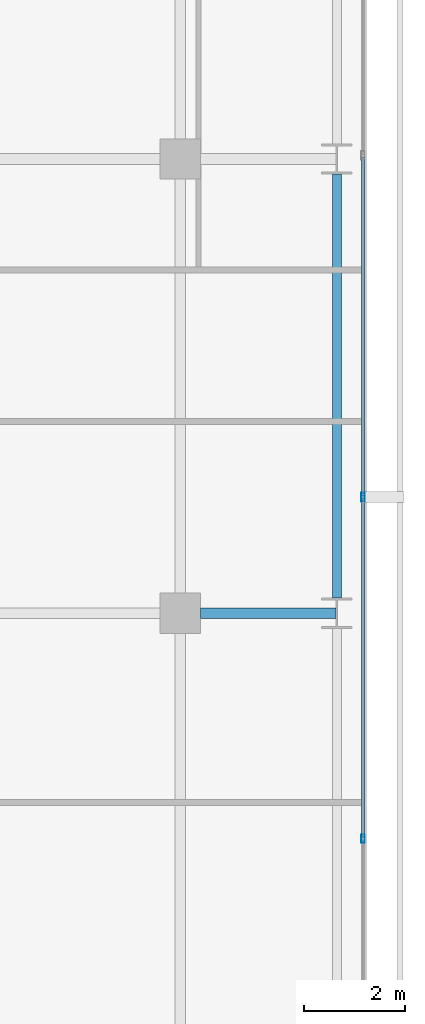
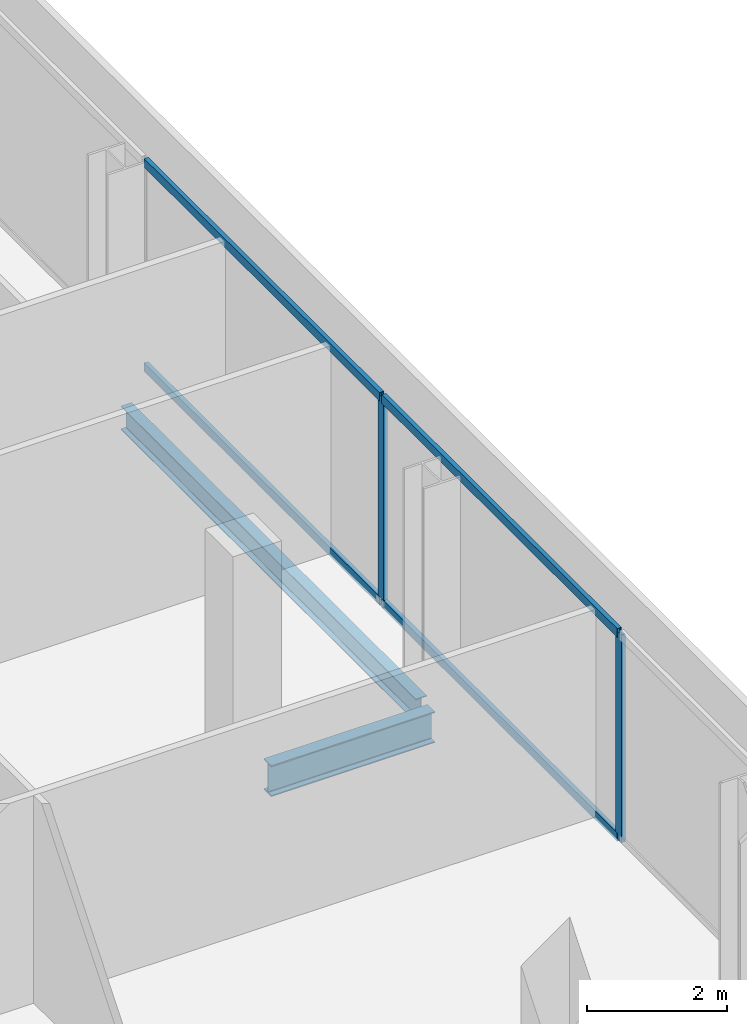
# One storey, part 17 of 33: 6 members, 2 beams, 1 element without a shape of its own.
"""IFC4 building model written with IfcOpenShell, lengths in metres."""

from ifc_helpers import new_model, si_unit, direction, frame, origin, origin_2d, place, context, subcontext, project, spatial, hollow_rectangle, i_section, extrude, material, layer, layer_set, material_profile, profile_set, type_object, element, aggregate, save


model = new_model("IFC4")

# Units and contexts
model_context = context("Model", 3, precision=1e-05, world=origin(), true_north=direction((0.0, 1.0)))
body_context = subcontext(model_context, "Body", "Model", "MODEL_VIEW")
ifc_project = project(units=[si_unit("LENGTHUNIT", "METRE"), si_unit("AREAUNIT", "SQUARE_METRE"), si_unit("VOLUMEUNIT", "CUBIC_METRE"), si_unit("PLANEANGLEUNIT", "RADIAN"), si_unit("MASSUNIT", "GRAM", prefix="KILO")], contexts=[model_context])

# Site, building, storey
site_placement = place(None, origin())
site = spatial("IfcSite", under=ifc_project, at=site_placement, CompositionType="ELEMENT")
building_placement = place(site_placement, origin())
building = spatial("IfcBuilding", under=site, at=building_placement, Name="Maruvema Waterfront Hotel and Observation Tower", CompositionType="ELEMENT")
storey_placement = place(building_placement, frame((0.0, 0.0, 196.699951171875)))
storey = spatial("IfcBuildingStorey", under=building, at=storey_placement, Name="L48", CompositionType="ELEMENT", Elevation=196.699951171875)

# Curtain wall, members
ifc_material_1 = material(Name="Anodised bronze aluminium and solar-control low-E IGU", Category="aluminium")
ifc_layer = layer(ifc_material_1, 0.159912109375, Name="Zone 2 Amber Inner Thermal Curtain Wall System CW-03")
ifc_layer_set = layer_set([ifc_layer], Name="Anodised bronze aluminium and solar-control low-E IGU")
curtain_wall_type = type_object("IfcCurtainWallType", Name="Zone 2 Amber Inner Thermal Curtain Wall System CW-03", PredefinedType="USERDEFINED", material=ifc_layer_set)
curtain_wall_placement = place(storey_placement, origin())
curtain_wall = element("IfcCurtainWall", 1, at=curtain_wall_placement, inside=storey, type_object=curtain_wall_type, Name="L48 Curtain Wall CW-L48-E", ObjectType="UNITISED CURTAIN WALL", PredefinedType="USERDEFINED")
ifc_material_2 = material(Name="Anodised architectural bronze aluminium", Category="aluminium")
ifc_material_profile_1 = material_profile(ifc_material_2, hollow_rectangle(XDim=0.070068359375, YDim=0.14990234375, WallThickness=0.00390625, at=origin_2d()), Name="ALU-T70x150")
ifc_profile_set_1 = profile_set([ifc_material_profile_1], Name="Anodised architectural bronze aluminium")
member_type_1 = type_object("IfcMemberType", Name="Curtain Wall Horizontal Transom ALU-T70x150", PredefinedType="USERDEFINED", material=ifc_profile_set_1)
member_1_placement = place(storey_placement, frame((62.419921875, 22.563232421875, 0.030029296875), z_axis=(0.0, 1.0, 0.0), x_axis=(-1.0, 0.0, 0.0)))
member_1 = element("IfcMember", 2, at=member_1_placement, type_object=member_type_1, Name="CW-03 transom 3.1", ObjectType="TRANSOM", PredefinedType="USERDEFINED", context=body_context, shape_type="SweptSolid", body=[
    extrude(hollow_rectangle(XDim=0.070068359375, YDim=0.14990234375, WallThickness=0.00390625, at=origin_2d()), origin(), (0.0, 0.0, 1.0), 6.706787109375),
])
member_2_placement = place(storey_placement, frame((62.419921875, 22.563232421875, 3.580078125), z_axis=(0.0, 1.0, 0.0), x_axis=(-1.0, 0.0, 0.0)))
member_2 = element("IfcMember", 3, at=member_2_placement, type_object=member_type_1, Name="CW-03 transom 3.2", ObjectType="TRANSOM", PredefinedType="USERDEFINED", context=body_context, shape_type="SweptSolid", body=[
    extrude(hollow_rectangle(XDim=0.070068359375, YDim=0.14990234375, WallThickness=0.00390625, at=origin_2d()), origin(), (0.0, 0.0, 1.0), 6.706787109375),
])
member_3_placement = place(storey_placement, frame((62.419921875, 29.330078125, 0.030029296875), z_axis=(0.0, 1.0, 0.0), x_axis=(-1.0, 0.0, 0.0)))
member_3 = element("IfcMember", 4, at=member_3_placement, type_object=member_type_1, Name="CW-03 transom 4.1", ObjectType="TRANSOM", PredefinedType="USERDEFINED", context=body_context, shape_type="SweptSolid", body=[
    extrude(hollow_rectangle(XDim=0.070068359375, YDim=0.14990234375, WallThickness=0.00390625, at=origin_2d()), origin(), (0.0, 0.0, 1.0), 6.70654296875),
])
member_4_placement = place(storey_placement, frame((62.419921875, 29.330078125, 3.580078125), z_axis=(0.0, 1.0, 0.0), x_axis=(-1.0, 0.0, 0.0)))
member_4 = element("IfcMember", 5, at=member_4_placement, type_object=member_type_1, Name="CW-03 transom 4.2", ObjectType="TRANSOM", PredefinedType="USERDEFINED", context=body_context, shape_type="SweptSolid", body=[
    extrude(hollow_rectangle(XDim=0.070068359375, YDim=0.14990234375, WallThickness=0.00390625, at=origin_2d()), origin(), (0.0, 0.0, 1.0), 6.70654296875),
])
ifc_material_3 = material(Name="Anodised architectural bronze aluminium", Category="aluminium")
ifc_material_profile_2 = material_profile(ifc_material_3, hollow_rectangle(XDim=0.06494140625, YDim=0.1650390625, WallThickness=0.00390625, at=origin_2d()), Name="ALU-M65x165")
ifc_profile_set_2 = profile_set([ifc_material_profile_2], Name="Anodised architectural bronze aluminium")
member_type_2 = type_object("IfcMemberType", Name="Curtain Wall Primary Mullion ALU-M65x165", PredefinedType="MULLION", material=ifc_profile_set_2)
member_5_placement = place(storey_placement, frame((62.419921875, 22.533447265625, 0.0), z_axis=(0.0, 0.0, 1.0), x_axis=(-1.0, 0.0, 0.0)))
member_5 = element("IfcMember", 6, at=member_5_placement, type_object=member_type_2, Name="CW-03 mullion 3", PredefinedType="MULLION", context=body_context, shape_type="SweptSolid", body=[
    extrude(hollow_rectangle(XDim=0.06494140625, YDim=0.1650390625, WallThickness=0.00390625, at=origin_2d()), origin(), (0.0, 0.0, 1.0), 3.610107421875),
])
member_6_placement = place(storey_placement, frame((62.419921875, 29.300048828125, 0.0), z_axis=(0.0, 0.0, 1.0), x_axis=(-1.0, 0.0, 0.0)))
member_6 = element("IfcMember", 7, at=member_6_placement, type_object=member_type_2, Name="CW-03 mullion 4", PredefinedType="MULLION", context=body_context, shape_type="SweptSolid", body=[
    extrude(hollow_rectangle(XDim=0.06494140625, YDim=0.1650390625, WallThickness=0.00390625, at=origin_2d()), origin(), (0.0, 0.0, 1.0), 3.610107421875),
])
aggregate(curtain_wall, [member_5, member_6, member_1, member_2, member_3, member_4])

# Beams
ifc_material_4 = material(Name="Steel ASTM A572 Grade 50", Category="steel")
ifc_material_profile_3 = material_profile(ifc_material_4, i_section(OverallWidth=0.178955078125, OverallDepth=0.409912109375, WebThickness=0.0087890625, FlangeThickness=0.014404296875, FilletRadius=0.014892578125, at=origin_2d()), Name="W410x67.0")
ifc_profile_set_3 = profile_set([ifc_material_profile_3], Name="Steel ASTM A572 Grade 50")
beam_type_1 = type_object("IfcBeamType", Name="Perimeter Spandrel Beam W410x67.0", PredefinedType="SPANDREL", material=ifc_profile_set_3)
beam_1_placement = place(storey_placement, frame((61.89990234375, 27.300048828125, -0.445068359375), z_axis=(0.0, 1.0, 0.0), x_axis=(-1.0, 0.0, 0.0)))
element("IfcBeam", 8, at=beam_1_placement, inside=storey, type_object=beam_type_1, Name="L48 Floor Girder NS-31", PredefinedType="SPANDREL", context=body_context, shape_type="SweptSolid", body=[
    extrude(i_section(OverallWidth=0.178955078125, OverallDepth=0.409912109375, WebThickness=0.0087890625, FlangeThickness=0.014404296875, FilletRadius=0.014892578125, at=origin_2d()), origin(), (0.0, 0.0, 1.0), 8.39990234375),
])
ifc_material_5 = material(Name="Steel ASTM A572 Grade 50", Category="steel")
ifc_material_profile_4 = material_profile(ifc_material_5, i_section(OverallWidth=0.2109375, OverallDepth=0.5390625, WebThickness=0.01171875, FlangeThickness=0.018798828125, FilletRadius=0.014892578125, at=origin_2d()), Name="W530x109.0")
ifc_profile_set_4 = profile_set([ifc_material_profile_4], Name="Steel ASTM A572 Grade 50")
beam_type_2 = type_object("IfcBeamType", Name="Primary Floor Girder W530x109.0", PredefinedType="BEAM", material=ifc_profile_set_4)
beam_2_placement = place(storey_placement, frame((59.199951171875, 27.0, -0.509521484375), z_axis=(1.0, 0.0, 0.0), x_axis=(0.0, 1.0, 0.0)))
element("IfcBeam", 9, at=beam_2_placement, inside=storey, type_object=beam_type_2, Name="L48 Floor Girder EW-22", PredefinedType="BEAM", context=body_context, shape_type="SweptSolid", body=[
    extrude(i_section(OverallWidth=0.2109375, OverallDepth=0.5390625, WebThickness=0.01171875, FlangeThickness=0.018798828125, FilletRadius=0.014892578125, at=origin_2d()), origin(), (0.0, 0.0, 1.0), 2.6875),
])

save(model, "model.ifc")
